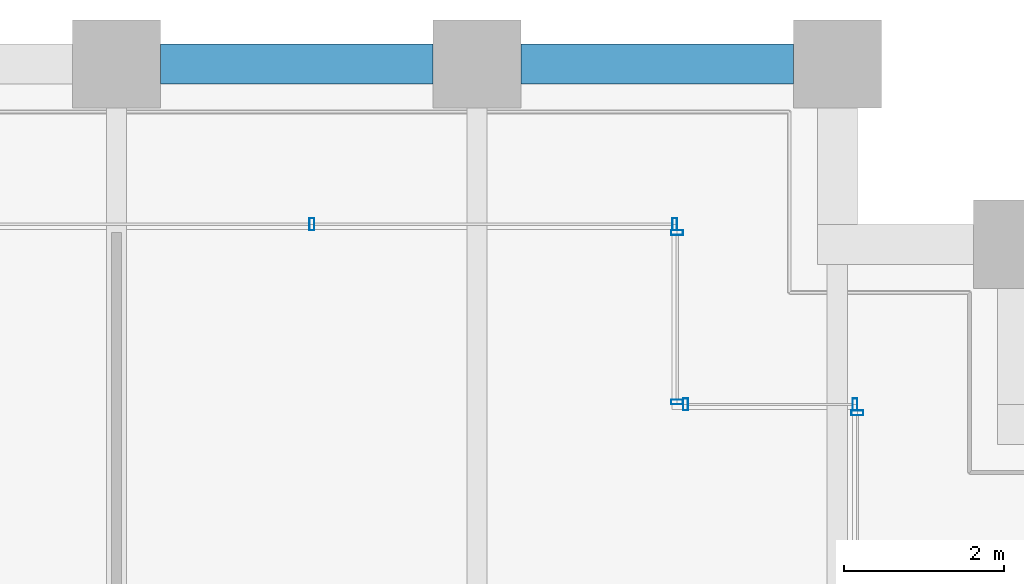
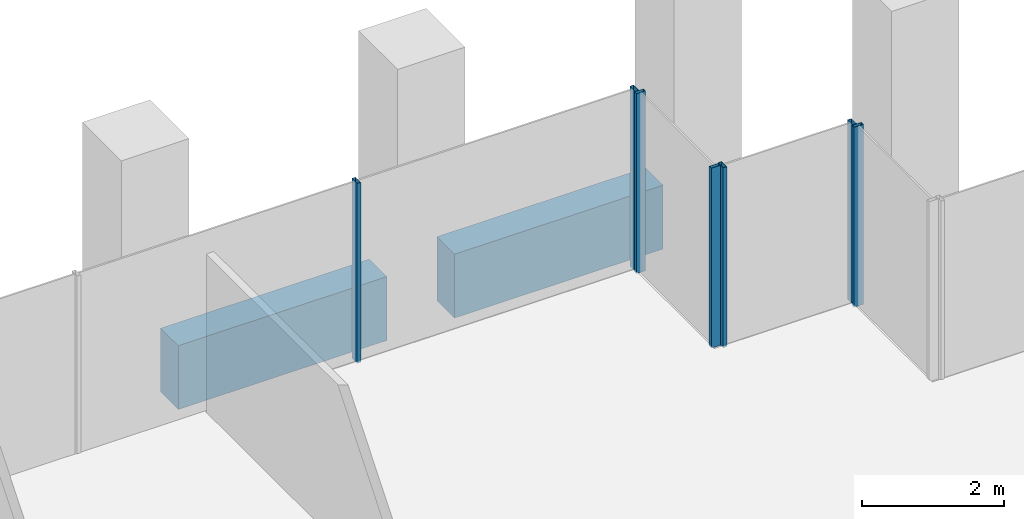
# One storey, part 32 of 56: 7 members, 2 beams, 4 elements without a shape of their own.
"""IFC4 building model written with IfcOpenShell, lengths in metres."""

from ifc_helpers import new_model, si_unit, direction, frame, origin, origin_2d, place, context, subcontext, project, spatial, rectangle, hollow_rectangle, extrude, material, material_profile, profile_set, type_object, element, aggregate, save


model = new_model("IFC4")

# Units and contexts
model_context = context("Model", 3, precision=1e-05, world=origin(), true_north=direction((0.0, 1.0)))
body_context = subcontext(model_context, "Body", "Model", "MODEL_VIEW")
ifc_project = project(units=[si_unit("LENGTHUNIT", "METRE"), si_unit("AREAUNIT", "SQUARE_METRE"), si_unit("VOLUMEUNIT", "CUBIC_METRE"), si_unit("PLANEANGLEUNIT", "RADIAN"), si_unit("MASSUNIT", "GRAM", prefix="KILO")], contexts=[model_context])

# Site, building, storey
site_placement = place(None, origin())
site = spatial("IfcSite", under=ifc_project, at=site_placement, CompositionType="ELEMENT")
building_placement = place(site_placement, origin())
building = spatial("IfcBuilding", under=site, at=building_placement, Name="Altepetl Exchange Towers", CompositionType="ELEMENT")
storey_placement = place(building_placement, frame((0.0, 0.0, 51.0)))
storey = spatial("IfcBuildingStorey", under=building, at=storey_placement, Name="L11", CompositionType="ELEMENT", Elevation=51.0)

# Curtain wall, member
ifc_material_1 = material(Name="Aluminium 6063-T6 glazing", Category="aluminium")
curtain_wall_type = type_object("IfcCurtainWallType", Name="Loggia glazing system", PredefinedType="NOTDEFINED", material=ifc_material_1)
curtain_wall_1_placement = place(storey_placement, origin())
curtain_wall_1 = element("IfcCurtainWall", 1, at=curtain_wall_1_placement, inside=storey, type_object=curtain_wall_type, Name="CW1 run", PredefinedType="NOTDEFINED")
ifc_material_2 = material(Name="Aluminium 6063-T6", Category="aluminium")
ifc_material_profile_1 = material_profile(ifc_material_2, hollow_rectangle(XDim=0.06005859375, YDim=0.14990234375, WallThickness=0.0029296875, at=origin_2d()), Name="Mullion 60x150 aluminium")
ifc_profile_set_1 = profile_set([ifc_material_profile_1], Name="Aluminium 6063-T6")
member_type = type_object("IfcMemberType", Name="Mullion 60x150 aluminium", PredefinedType="MULLION", material=ifc_profile_set_1)
member_1_placement = place(storey_placement, frame((67.75, 67.64501953125, 0.0), z_axis=(0.0, 0.0, 1.0), x_axis=(0.0, 1.0, 0.0)))
member_1 = element("IfcMember", 2, at=member_1_placement, type_object=member_type, Name="MU1 mullion", PredefinedType="MULLION", context=body_context, shape_type="SweptSolid", body=[
    extrude(hollow_rectangle(XDim=0.06005859375, YDim=0.14990234375, WallThickness=0.0029296875, at=origin_2d()), origin(), (0.0, 0.0, 1.0), 3.10009765625),
])
aggregate(curtain_wall_1, [member_1])

# Curtain wall, members
curtain_wall_2_placement = place(storey_placement, origin())
curtain_wall_2 = element("IfcCurtainWall", 3, at=curtain_wall_2_placement, inside=storey, type_object=curtain_wall_type, Name="CW1 run", PredefinedType="NOTDEFINED")
member_2_placement = place(storey_placement, frame((67.719970703125, 67.75, 0.0), z_axis=(0.0, 0.0, 1.0), x_axis=(-1.0, 0.0, 0.0)))
member_2 = element("IfcMember", 4, at=member_2_placement, type_object=member_type, Name="MU1 mullion", PredefinedType="MULLION", context=body_context, shape_type="SweptSolid", body=[
    extrude(hollow_rectangle(XDim=0.06005859375, YDim=0.14990234375, WallThickness=0.0029296875, at=origin_2d()), origin(), (0.0, 0.0, 1.0), 3.10009765625),
])
member_3_placement = place(storey_placement, frame((65.60498046875, 67.75, 0.0), z_axis=(0.0, 0.0, 1.0), x_axis=(-1.0, 0.0, 0.0)))
member_3 = element("IfcMember", 5, at=member_3_placement, type_object=member_type, Name="MU1 mullion", PredefinedType="MULLION", context=body_context, shape_type="SweptSolid", body=[
    extrude(hollow_rectangle(XDim=0.06005859375, YDim=0.14990234375, WallThickness=0.0029296875, at=origin_2d()), origin(), (0.0, 0.0, 1.0), 3.10009765625),
])
aggregate(curtain_wall_2, [member_2, member_3])

curtain_wall_3_placement = place(storey_placement, origin())
curtain_wall_3 = element("IfcCurtainWall", 6, at=curtain_wall_3_placement, inside=storey, type_object=curtain_wall_type, Name="CW1 run", PredefinedType="NOTDEFINED")
member_4_placement = place(storey_placement, frame((65.5, 67.780029296875, 0.0), z_axis=(0.0, 0.0, 1.0), x_axis=(0.0, 1.0, 0.0)))
member_4 = element("IfcMember", 7, at=member_4_placement, type_object=member_type, Name="MU1 mullion", PredefinedType="MULLION", context=body_context, shape_type="SweptSolid", body=[
    extrude(hollow_rectangle(XDim=0.06005859375, YDim=0.14990234375, WallThickness=0.0029296875, at=origin_2d()), origin(), (0.0, 0.0, 1.0), 3.10009765625),
])
member_5_placement = place(storey_placement, frame((65.5, 69.89501953125, 0.0), z_axis=(0.0, 0.0, 1.0), x_axis=(0.0, 1.0, 0.0)))
member_5 = element("IfcMember", 8, at=member_5_placement, type_object=member_type, Name="MU1 mullion", PredefinedType="MULLION", context=body_context, shape_type="SweptSolid", body=[
    extrude(hollow_rectangle(XDim=0.06005859375, YDim=0.14990234375, WallThickness=0.0029296875, at=origin_2d()), origin(), (0.0, 0.0, 1.0), 3.10009765625),
])
aggregate(curtain_wall_3, [member_4, member_5])

curtain_wall_4_placement = place(storey_placement, origin())
curtain_wall_4 = element("IfcCurtainWall", 9, at=curtain_wall_4_placement, inside=storey, type_object=curtain_wall_type, Name="CW1 run", PredefinedType="NOTDEFINED")
member_6_placement = place(storey_placement, frame((65.469970703125, 70.0, 0.0), z_axis=(0.0, 0.0, 1.0), x_axis=(-1.0, 0.0, 0.0)))
member_6 = element("IfcMember", 10, at=member_6_placement, type_object=member_type, Name="MU1 mullion", PredefinedType="MULLION", context=body_context, shape_type="SweptSolid", body=[
    extrude(hollow_rectangle(XDim=0.06005859375, YDim=0.14990234375, WallThickness=0.0029296875, at=origin_2d()), origin(), (0.0, 0.0, 1.0), 3.10009765625),
])
member_7_placement = place(storey_placement, frame((60.939208984375, 70.0, 0.0), z_axis=(0.0, 0.0, 1.0), x_axis=(-1.0, 0.0, 0.0)))
member_7 = element("IfcMember", 11, at=member_7_placement, type_object=member_type, Name="MU1 mullion", PredefinedType="MULLION", context=body_context, shape_type="SweptSolid", body=[
    extrude(hollow_rectangle(XDim=0.06005859375, YDim=0.14990234375, WallThickness=0.0029296875, at=origin_2d()), origin(), (0.0, 0.0, 1.0), 3.10009765625),
])
aggregate(curtain_wall_4, [member_6, member_7])

# Beams
ifc_material_3 = material(Name="Concrete C50/60 precast with cantera rosa facing", Category="concrete")
ifc_material_profile_2 = material_profile(ifc_material_3, rectangle(XDim=0.5, YDim=1.10009765625, at=origin_2d()), Name="500 x 1100")
ifc_profile_set_2 = profile_set([ifc_material_profile_2], Name="Concrete C50/60 precast with cantera rosa facing")
beam_type = type_object("IfcBeamType", Name="Spandrel beam 500x1100 cantera rosa", PredefinedType="SPANDREL", material=ifc_profile_set_2)
for number, where, z_axis, x_axis, name in (
    (12, (66.949951171875, 72.0, -0.699951171875), (-1.0, 0.0, 0.0), (0.0, -1.0, 0.0), "sp:A:L11:024"),
    (13, (62.449951171875, 72.0, -0.699951171875), (-1.0, 0.0, 0.0), (0.0, -1.0, 0.0), "sp:A:L11:025"),
):
    element("IfcBeam", number, at=place(storey_placement, frame(where, z_axis=z_axis, x_axis=x_axis)), inside=storey, type_object=beam_type, Name=name, PredefinedType="SPANDREL", context=body_context, shape_type="SweptSolid", body=[
        extrude(rectangle(XDim=0.5, YDim=1.10009765625, at=origin_2d()), origin(), (0.0, 0.0, 1.0), 3.39990234375),
    ])

save(model, "model.ifc")
